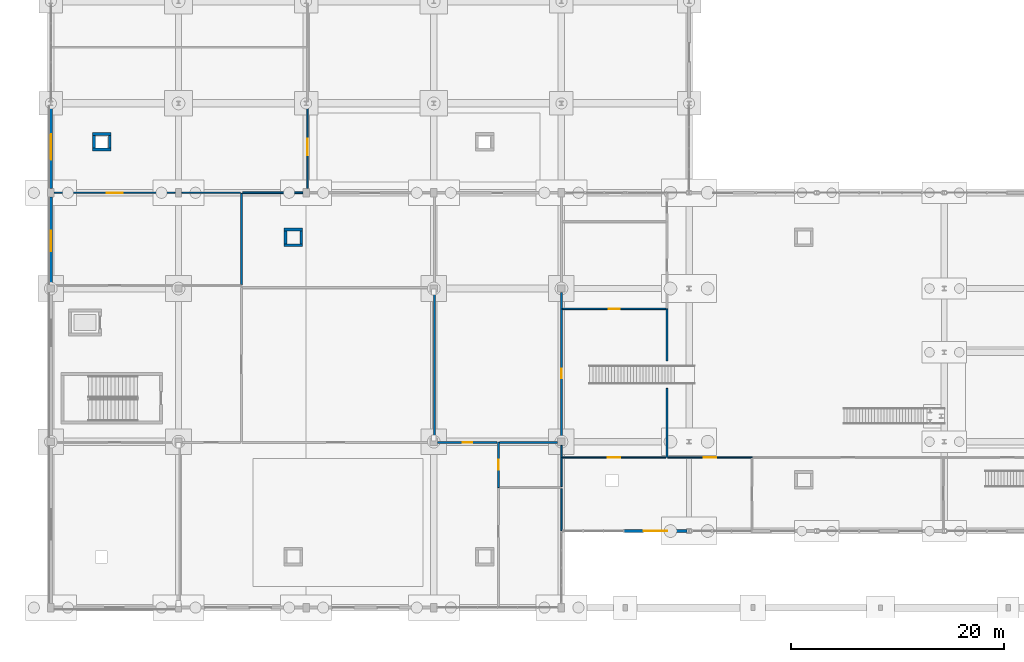
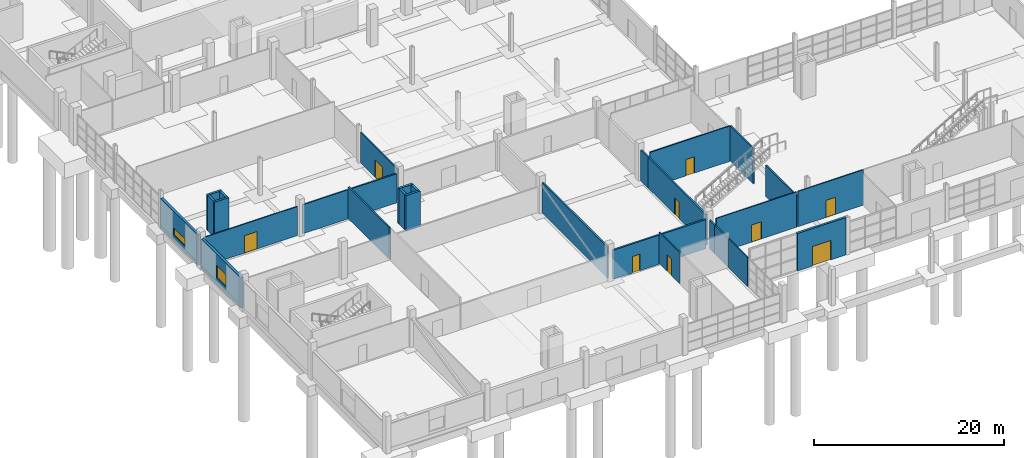
# One storey, part 55 of 82: 30 walls, 9 doors, 2 windows, 11 openings.
"""IFC4 building model written with IfcOpenShell, lengths in metres."""

from ifc_helpers import new_model, si_unit, direction, frame, frame_2d, origin, place, context, subcontext, project, spatial, rectangle, extrude, material, layer, layer_set, type_object, element, fill, save


model = new_model("IFC4")

# Units and contexts
model_context = context("Model", 3, precision=1e-05, world=origin(), true_north=direction((0.0, 1.0)))
body_context = subcontext(model_context, "Body", "Model", "MODEL_VIEW")
ifc_project = project(units=[si_unit("LENGTHUNIT", "METRE"), si_unit("AREAUNIT", "SQUARE_METRE"), si_unit("VOLUMEUNIT", "CUBIC_METRE"), si_unit("PLANEANGLEUNIT", "RADIAN"), si_unit("MASSUNIT", "GRAM", prefix="KILO")], contexts=[model_context])

# Site, building, storey
site_placement = place(None, origin())
site = spatial("IfcSite", under=ifc_project, at=site_placement, CompositionType="ELEMENT")
building_placement = place(site_placement, origin())
building = spatial("IfcBuilding", under=site, at=building_placement, Name="Kelmvaro Bay Concert Hall", CompositionType="ELEMENT")
storey_placement = place(building_placement, origin())
storey = spatial("IfcBuildingStorey", under=building, at=storey_placement, Name="L00", CompositionType="ELEMENT", Elevation=0.0)

# Wall, opening, door
ifc_material_1 = material(Name="Acoustic Gypsum Board on Galvanised Steel Studs", Category="steel")
ifc_layer_1 = layer(ifc_material_1, 0.1298828125)
ifc_layer_set_1 = layer_set([ifc_layer_1], Name="Acoustic Gypsum Board on Galvanised Steel Studs")
wall_type_1 = type_object("IfcWallType", Name="Classroom Acoustic Partition 130", PredefinedType="PARTITIONING", material=ifc_layer_set_1)
wall_1_placement = place(storey_placement, frame((0.30810546875, 39.0, 0.0), z_axis=(0.0, 0.0, 1.0), x_axis=(1.0, 0.0, 0.0)))
wall_1 = element("IfcWall", 1, at=wall_1_placement, inside=storey, type_object=wall_type_1, Name="L00 Interior Partition PT-L00-0063", PredefinedType="PARTITIONING", context=body_context, shape_type="SweptSolid", body=[
    extrude(rectangle(XDim=11.3837890625, YDim=0.1298828125, at=frame_2d((5.69189453125, 0.0))), origin(), (0.0, 0.0, 1.0), 3.72998046875),
])
opening_1_placement = place(wall_1_placement, frame((4.931884765625, 0.0, 0.0)))
opening_1 = element("IfcOpeningElement", 2, at=opening_1_placement, cuts=wall_1, Name="Opening ID-ED2", PredefinedType="OPENING", context=body_context, shape_type="SweptSolid", body=[
    extrude(rectangle(XDim=1.52001953125, YDim=2.239990234375, at=frame_2d((0.760009765625, 1.1201171875))), frame((0.0, 0.074951171875, 0.0), z_axis=(0.0, -1.0, 0.0), x_axis=(1.0, 0.0, 0.0)), (0.0, 0.0, 1.0), 0.14990234375),
])
ifc_material_2 = material(Name="Oak Veneer and Acoustic Glass", Category="glass")
door_type_1 = type_object("IfcDoorType", Name="Archive Library Double Door 1520x2240", OperationType="NOTDEFINED", PredefinedType="DOOR", material=ifc_material_2)
door_1_placement = place(opening_1_placement, origin())
door_1 = element("IfcDoor", 3, at=door_1_placement, inside=storey, type_object=door_type_1, Name="L00 Interior Door DR-INT-L00-0044", OperationType="DOUBLE_DOOR_SINGLE_SWING", OverallHeight=2.239990234375, OverallWidth=1.52001953125, PredefinedType="DOOR", context=body_context, shape_type="SweptSolid", body=[
    extrude(rectangle(XDim=1.52001953125, YDim=2.239990234375, at=frame_2d((0.760009765625, 1.1201171875))), frame((0.0, 0.02490234375, 0.0), z_axis=(0.0, -1.0, 0.0), x_axis=(1.0, 0.0, 0.0)), (0.0, 0.0, 1.0), 0.050048828125),
])
fill(opening_1, door_1)

# Wall
wall_2_placement = place(storey_placement, frame((12.30810546875, 39.0, 0.0), z_axis=(0.0, 0.0, 1.0), x_axis=(1.0, 0.0, 0.0)))
element("IfcWall", 4, at=wall_2_placement, inside=storey, type_object=wall_type_1, Name="L00 Interior Partition PT-L00-0064", PredefinedType="PARTITIONING", context=body_context, shape_type="SweptSolid", body=[
    extrude(rectangle(XDim=5.511962890625, YDim=0.1298828125, at=frame_2d((2.755859375, 0.0))), origin(), (0.0, 0.0, 1.0), 3.72998046875),
])

# Wall, opening, door
wall_3_placement = place(storey_placement, frame((24.1201171875, 39.407958984375, 0.0), z_axis=(0.0, 0.0, 1.0), x_axis=(0.0, 1.0, 0.0)))
wall_3 = element("IfcWall", 5, at=wall_3_placement, inside=storey, type_object=wall_type_1, Name="L00 Interior Partition PT-L00-0120", PredefinedType="PARTITIONING", context=body_context, shape_type="SweptSolid", body=[
    extrude(rectangle(XDim=7.797607421875, YDim=0.1298828125, at=frame_2d((3.89892578125, 0.0))), origin(), (0.0, 0.0, 1.0), 3.91796875),
])
opening_2_placement = place(wall_3_placement, frame((3.138671875, 0.0, 0.0)))
opening_2 = element("IfcOpeningElement", 6, at=opening_2_placement, cuts=wall_3, Name="Opening ID-ED2", PredefinedType="OPENING", context=body_context, shape_type="SweptSolid", body=[
    extrude(rectangle(XDim=1.52001953125, YDim=2.239990234375, at=frame_2d((0.760009765625, 1.1201171875))), frame((0.0, 0.074951171875, 0.0), z_axis=(0.0, -1.0, 0.0), x_axis=(1.0, 0.0, 0.0)), (0.0, 0.0, 1.0), 0.14990234375),
])
door_2_placement = place(opening_2_placement, origin())
door_2 = element("IfcDoor", 7, at=door_2_placement, inside=storey, type_object=door_type_1, Name="L00 Interior Door DR-INT-L00-0076", OperationType="DOUBLE_DOOR_SINGLE_SWING", OverallHeight=2.239990234375, OverallWidth=1.52001953125, PredefinedType="DOOR", context=body_context, shape_type="SweptSolid", body=[
    extrude(rectangle(XDim=1.52001953125, YDim=2.239990234375, at=frame_2d((0.760009765625, 1.1201171875))), frame((0.0, 0.02490234375, 0.0), z_axis=(0.0, -1.0, 0.0), x_axis=(1.0, 0.0, 0.0)), (0.0, 0.0, 1.0), 0.050048828125),
])
fill(opening_2, door_2)

# Walls
ifc_material_3 = material(Name="Acoustic Gypsum Board on Galvanised Steel Studs", Category="steel")
ifc_layer_2 = layer(ifc_material_3, 0.169921875)
ifc_layer_set_2 = layer_set([ifc_layer_2], Name="Acoustic Gypsum Board on Galvanised Steel Studs")
wall_type_2 = type_object("IfcWallType", Name="Corridor Fire Compartment Partition 170", PredefinedType="PARTITIONING", material=ifc_layer_set_2)
wall_4_placement = place(storey_placement, frame((57.919921875, 14.114990234375, 0.0), z_axis=(0.0, 0.0, 1.0), x_axis=(0.0, 1.0, 0.0)))
element("IfcWall", 8, at=wall_4_placement, inside=storey, type_object=wall_type_2, Name="L00 Interior Partition PT-L00-0095", PredefinedType="PARTITIONING", context=body_context, shape_type="SweptSolid", body=[
    extrude(rectangle(XDim=6.485107421875, YDim=0.169921875, at=frame_2d((3.24267578125, 0.0))), origin(), (0.0, 0.0, 1.0), 3.986083984375),
])
wall_5_placement = place(storey_placement, frame((57.919921875, 23.199951171875, 0.0), z_axis=(0.0, 0.0, 1.0), x_axis=(0.0, 1.0, 0.0)))
element("IfcWall", 9, at=wall_5_placement, inside=storey, type_object=wall_type_2, Name="L00 Interior Partition PT-L00-0096", PredefinedType="PARTITIONING", context=body_context, shape_type="SweptSolid", body=[
    extrude(rectangle(XDim=4.885009765625, YDim=0.169921875, at=frame_2d((2.4423828125, 0.0))), origin(), (0.0, 0.0, 1.0), 4.530029296875),
])
ifc_material_4 = material(Name="Acoustic Gypsum Board on Galvanised Steel Studs", Category="steel")
ifc_layer_3 = layer(ifc_material_4, 0.199951171875)
ifc_layer_set_3 = layer_set([ifc_layer_3], Name="Acoustic Gypsum Board on Galvanised Steel Studs")
wall_type_3 = type_object("IfcWallType", Name="Double-Stud Acoustic Studio Partition 200", PredefinedType="PARTITIONING", material=ifc_layer_set_3)
wall_6_placement = place(storey_placement, frame((36.080078125, 15.9580078125, 0.0), z_axis=(0.0, 0.0, 1.0), x_axis=(0.0, 1.0, 0.0)))
element("IfcWall", 10, at=wall_6_placement, inside=storey, type_object=wall_type_3, Name="L00 Interior Partition PT-L00-0053", PredefinedType="PARTITIONING", context=body_context, shape_type="SweptSolid", body=[
    extrude(rectangle(XDim=13.68408203125, YDim=0.199951171875, at=frame_2d((6.842041015625, 0.0))), origin(), (0.0, 0.0, 1.0), 3.9189453125),
])

# Wall, opening, door
wall_7_placement = place(storey_placement, frame((36.35791015625, 15.52001953125, 0.0), z_axis=(0.0, 0.0, 1.0), x_axis=(1.0, 0.0, 0.0)))
wall_7 = element("IfcWall", 11, at=wall_7_placement, inside=storey, type_object=wall_type_3, Name="L00 Interior Partition PT-L00-0058", PredefinedType="PARTITIONING", context=body_context, shape_type="SweptSolid", body=[
    extrude(rectangle(XDim=5.592041015625, YDim=0.199951171875, at=frame_2d((2.7958984375, 0.0))), origin(), (0.0, 0.0, 1.0), 3.72998046875),
])
opening_3_placement = place(wall_7_placement, frame((2.341064453125, 0.0, 0.0)))
opening_3 = element("IfcOpeningElement", 12, at=opening_3_placement, cuts=wall_7, Name="Opening ID-PL2", PredefinedType="OPENING", context=body_context, shape_type="SweptSolid", body=[
    extrude(rectangle(XDim=0.909912109375, YDim=2.10009765625, at=frame_2d((0.455078125, 1.050048828125))), frame((0.0, 0.10986328125, 0.0), z_axis=(0.0, -1.0, 0.0), x_axis=(1.0, 0.0, 0.0)), (0.0, 0.0, 1.0), 0.219970703125),
])
ifc_material_5 = material(Name="Fire-Rated Galvanised Steel", Category="steel")
door_type_2 = type_object("IfcDoorType", Name="Fire Command and Storage Door 910x2100", OperationType="NOTDEFINED", PredefinedType="DOOR", material=ifc_material_5)
door_3_placement = place(opening_3_placement, origin())
door_3 = element("IfcDoor", 13, at=door_3_placement, inside=storey, type_object=door_type_2, Name="L00 Interior Door DR-INT-L00-0041", OperationType="SINGLE_SWING_LEFT", OverallHeight=2.10009765625, OverallWidth=0.909912109375, PredefinedType="DOOR", context=body_context, shape_type="SweptSolid", body=[
    extrude(rectangle(XDim=0.909912109375, YDim=2.10009765625, at=frame_2d((0.455078125, 1.050048828125))), frame((0.0, 0.02490234375, 0.0), z_axis=(0.0, -1.0, 0.0), x_axis=(1.0, 0.0, 0.0)), (0.0, 0.0, 1.0), 0.050048828125),
])
fill(opening_3, door_3)

# Wall
wall_8_placement = place(storey_placement, frame((42.1650390625, 15.52001953125, 0.0), z_axis=(0.0, 0.0, 1.0), x_axis=(1.0, 0.0, 0.0)))
element("IfcWall", 14, at=wall_8_placement, inside=storey, type_object=wall_type_3, Name="L00 Interior Partition PT-L00-0070", PredefinedType="PARTITIONING", context=body_context, shape_type="SweptSolid", body=[
    extrude(rectangle(XDim=5.47705078125, YDim=0.199951171875, at=frame_2d((2.738525390625, 0.0))), origin(), (0.0, 0.0, 1.0), 3.72998046875),
])

# Wall, opening, door
wall_9_placement = place(storey_placement, frame((48.0, 15.9580078125, 0.0), z_axis=(0.0, 0.0, 1.0), x_axis=(0.0, 1.0, 0.0)))
wall_9 = element("IfcWall", 15, at=wall_9_placement, inside=storey, type_object=wall_type_3, Name="L00 Interior Partition PT-L00-0073", PredefinedType="PARTITIONING", context=body_context, shape_type="SweptSolid", body=[
    extrude(rectangle(XDim=12.126953125, YDim=0.199951171875, at=frame_2d((6.0634765625, 0.0))), origin(), (0.0, 0.0, 1.0), 3.9189453125),
])
opening_4_placement = place(wall_9_placement, frame((5.6083984375, 0.0, 0.0)))
opening_4 = element("IfcOpeningElement", 16, at=opening_4_placement, cuts=wall_9, Name="Opening ID-PL2", PredefinedType="OPENING", context=body_context, shape_type="SweptSolid", body=[
    extrude(rectangle(XDim=0.909912109375, YDim=2.10009765625, at=frame_2d((0.455078125, 1.050048828125))), frame((0.0, 0.10986328125, 0.0), z_axis=(0.0, -1.0, 0.0), x_axis=(1.0, 0.0, 0.0)), (0.0, 0.0, 1.0), 0.219970703125),
])
door_4_placement = place(opening_4_placement, origin())
door_4 = element("IfcDoor", 17, at=door_4_placement, inside=storey, type_object=door_type_2, Name="L00 Interior Door DR-INT-L00-0046", OperationType="SINGLE_SWING_RIGHT", OverallHeight=2.10009765625, OverallWidth=0.909912109375, PredefinedType="DOOR", context=body_context, shape_type="SweptSolid", body=[
    extrude(rectangle(XDim=0.909912109375, YDim=2.10009765625, at=frame_2d((0.455078125, 1.050048828125))), frame((0.0, 0.02490234375, 0.0), z_axis=(0.0, -1.0, 0.0), x_axis=(1.0, 0.0, 0.0)), (0.0, 0.0, 1.0), 0.050048828125),
])
fill(opening_4, door_4)

# Wall
wall_10_placement = place(storey_placement, frame((48.0, 28.074951171875, 0.0), z_axis=(0.0, 0.0, 1.0), x_axis=(0.0, 1.0, 0.0)))
element("IfcWall", 18, at=wall_10_placement, inside=storey, type_object=wall_type_3, Name="L00 Interior Partition PT-L00-0074", PredefinedType="PARTITIONING", context=body_context, shape_type="SweptSolid", body=[
    extrude(rectangle(XDim=1.567138671875, YDim=0.199951171875, at=frame_2d((0.78369140625, 0.0))), origin(), (0.0, 0.0, 1.0), 3.9189453125),
])

# Wall, opening, window
ifc_material_6 = material(Name="Precast Concrete C40/50", Category="concrete")
ifc_layer_4 = layer(ifc_material_6, 0.300048828125)
ifc_layer_set_4 = layer_set([ifc_layer_4], Name="Precast Concrete C40/50")
wall_type_4 = type_object("IfcWallType", Name="Education Pavilion Precast Wall 300", PredefinedType="SOLIDWALL", material=ifc_layer_set_4)
wall_11_placement = place(storey_placement, frame((0.0, 30.35009765625, 0.0), z_axis=(0.0, 0.0, 1.0), x_axis=(0.0, 1.0, 0.0)))
wall_11 = element("IfcWall", 19, at=wall_11_placement, inside=storey, type_object=wall_type_4, Name="L00 Exterior Wall EW-L00-0169", PredefinedType="SOLIDWALL", context=body_context, shape_type="SweptSolid", body=[
    extrude(rectangle(XDim=8.25, YDim=0.300048828125, at=frame_2d((4.125, 0.0))), origin(), (0.0, 0.0, 1.0), 3.9189453125),
])
opening_5_placement = place(wall_11_placement, frame((3.175048828125, 0.0, 0.85009765625)))
opening_5 = element("IfcOpeningElement", 20, at=opening_5_placement, cuts=wall_11, Name="Opening WN-23", PredefinedType="OPENING", context=body_context, shape_type="SweptSolid", body=[
    extrude(rectangle(XDim=1.89990234375, YDim=1.60009765625, at=frame_2d((0.949951171875, 0.800048828125))), frame((0.0, 0.159912109375, 0.0), z_axis=(0.0, -1.0, 0.0), x_axis=(1.0, 0.0, 0.0)), (0.0, 0.0, 1.0), 0.320068359375),
])
ifc_material_7 = material(Name="Thermally Broken Aluminium and Acoustic Low-E Glass", Category="aluminium")
window_type_1 = type_object("IfcWindowType", Name="Chorus Studio Daylight Window 1900x1600", PartitioningType="SINGLE_PANEL", PredefinedType="WINDOW", material=ifc_material_7)
window_1_placement = place(opening_5_placement, origin())
window_1 = element("IfcWindow", 21, at=window_1_placement, inside=storey, type_object=window_type_1, Name="L00 Facade Window WN-L00-0078", OverallHeight=1.60009765625, OverallWidth=1.89990234375, PartitioningType="SINGLE_PANEL", PredefinedType="WINDOW", context=body_context, shape_type="SweptSolid", body=[
    extrude(rectangle(XDim=1.89990234375, YDim=1.60009765625, at=frame_2d((0.949951171875, 0.800048828125))), frame((0.0, 0.030029296875, 0.0), z_axis=(0.0, -1.0, 0.0), x_axis=(1.0, 0.0, 0.0)), (0.0, 0.0, 1.0), 0.06005859375),
])
fill(opening_5, window_1)

wall_12_placement = place(storey_placement, frame((0.0, 39.39990234375, 0.0), z_axis=(0.0, 0.0, 1.0), x_axis=(0.0, 1.0, 0.0)))
wall_12 = element("IfcWall", 22, at=wall_12_placement, inside=storey, type_object=wall_type_4, Name="L00 Exterior Wall EW-L00-0279", PredefinedType="SOLIDWALL", context=body_context, shape_type="SweptSolid", body=[
    extrude(rectangle(XDim=7.8134765625, YDim=0.300048828125, at=frame_2d((3.90673828125, 0.0))), origin(), (0.0, 0.0, 1.0), 3.91796875),
])
opening_6_placement = place(wall_12_placement, frame((2.706787109375, 0.0, 0.85009765625)))
opening_6 = element("IfcOpeningElement", 23, at=opening_6_placement, cuts=wall_12, Name="Opening WN-09", PredefinedType="OPENING", context=body_context, shape_type="SweptSolid", body=[
    extrude(rectangle(XDim=2.39990234375, YDim=0.949951171875, at=frame_2d((1.199951171875, 0.47509765625))), frame((0.0, 0.159912109375, 0.0), z_axis=(0.0, -1.0, 0.0), x_axis=(1.0, 0.0, 0.0)), (0.0, 0.0, 1.0), 0.320068359375),
])
ifc_material_8 = material(Name="Thermally Broken Aluminium and Acoustic Low-E Glass", Category="aluminium")
window_type_2 = type_object("IfcWindowType", Name="Archive Clerestory Window 2400x950", PartitioningType="SINGLE_PANEL", PredefinedType="WINDOW", material=ifc_material_8)
window_2_placement = place(opening_6_placement, origin())
window_2 = element("IfcWindow", 24, at=window_2_placement, inside=storey, type_object=window_type_2, Name="L00 Facade Window WN-L00-0142", OverallHeight=0.949951171875, OverallWidth=2.39990234375, PartitioningType="SINGLE_PANEL", PredefinedType="WINDOW", context=body_context, shape_type="SweptSolid", body=[
    extrude(rectangle(XDim=2.39990234375, YDim=0.949951171875, at=frame_2d((1.199951171875, 0.47509765625))), frame((0.0, 0.030029296875, 0.0), z_axis=(0.0, -1.0, 0.0), x_axis=(1.0, 0.0, 0.0)), (0.0, 0.0, 1.0), 0.06005859375),
])
fill(opening_6, window_2)

# Wall, opening, door
ifc_material_9 = material(Name="Precast Concrete C40/50", Category="concrete")
ifc_layer_5 = layer(ifc_material_9, 0.260009765625)
ifc_layer_set_5 = layer_set([ifc_layer_5], Name="Precast Concrete C40/50")
wall_type_5 = type_object("IfcWallType", Name="Foyer Spandrel Precast Wall 260", PredefinedType="SOLIDWALL", material=ifc_layer_set_5)
wall_13_placement = place(storey_placement, frame((59.800537109375, 7.199951171875, 0.0), z_axis=(0.0, 0.0, 1.0), x_axis=(-1.0, 0.0, 0.0)))
wall_13 = element("IfcWall", 25, at=wall_13_placement, inside=storey, type_object=wall_type_5, Name="L00 Exterior Wall EW-L00-0261", PredefinedType="SOLIDWALL", context=body_context, shape_type="SweptSolid", body=[
    extrude(rectangle(XDim=5.930419921875, YDim=0.260009765625, at=frame_2d((2.96533203125, 0.0))), origin(), (0.0, 0.0, 1.0), 4.800048828125),
])
opening_7_placement = place(wall_13_placement, frame((1.865234375, 0.0, 0.0)))
opening_7 = element("IfcOpeningElement", 26, at=opening_7_placement, cuts=wall_13, Name="Opening ED-220", PredefinedType="OPENING", context=body_context, shape_type="SweptSolid", body=[
    extrude(rectangle(XDim=2.199951171875, YDim=2.5, at=frame_2d((1.10009765625, 1.25))), frame((0.0, 0.139892578125, 0.0), z_axis=(0.0, -1.0, 0.0), x_axis=(1.0, 0.0, 0.0)), (0.0, 0.0, 1.0), 0.280029296875),
])
ifc_material_10 = material(Name="Thermally Broken Aluminium and Laminated Safety Glass", Category="aluminium")
door_type_3 = type_object("IfcDoorType", Name="Grand Foyer Ceremonial Exit Door 2200x2500", OperationType="NOTDEFINED", PredefinedType="DOOR", material=ifc_material_10)
door_5_placement = place(opening_7_placement, origin())
door_5 = element("IfcDoor", 27, at=door_5_placement, inside=storey, type_object=door_type_3, Name="L00 Exterior Door DR-EXT-L00-020", OperationType="DOUBLE_DOOR_SINGLE_SWING", OverallHeight=2.5, OverallWidth=2.199951171875, PredefinedType="DOOR", context=body_context, shape_type="SweptSolid", body=[
    extrude(rectangle(XDim=2.199951171875, YDim=2.5, at=frame_2d((1.10009765625, 1.25))), frame((0.0, 0.02490234375, 0.0), z_axis=(0.0, -1.0, 0.0), x_axis=(1.0, 0.0, 0.0)), (0.0, 0.0, 1.0), 0.050048828125),
])
fill(opening_7, door_5)

# Walls
ifc_material_11 = material(Name="Acoustic Gypsum Board on Galvanised Steel Studs", Category="steel")
ifc_layer_6 = layer(ifc_material_11, 0.179931640625)
ifc_layer_set_6 = layer_set([ifc_layer_6], Name="Acoustic Gypsum Board on Galvanised Steel Studs")
wall_type_6 = type_object("IfcWallType", Name="Rehearsal Suite Acoustic Partition 180", PredefinedType="PARTITIONING", material=ifc_layer_set_6)
wall_14_placement = place(storey_placement, frame((17.919921875, 30.35498046875, 0.0), z_axis=(0.0, 0.0, 1.0), x_axis=(0.0, 1.0, 0.0)))
element("IfcWall", 28, at=wall_14_placement, inside=storey, type_object=wall_type_6, Name="L00 Interior Partition PT-L00-0062", PredefinedType="PARTITIONING", context=body_context, shape_type="SweptSolid", body=[
    extrude(rectangle(XDim=8.594970703125, YDim=0.179931640625, at=frame_2d((4.29736328125, 0.0))), origin(), (0.0, 0.0, 1.0), 4.072998046875),
])
wall_15_placement = place(storey_placement, frame((18.02001953125, 39.0, 0.0), z_axis=(0.0, 0.0, 1.0), x_axis=(1.0, 0.0, 0.0)))
element("IfcWall", 29, at=wall_15_placement, inside=storey, type_object=wall_type_6, Name="L00 Interior Partition PT-L00-0067", PredefinedType="PARTITIONING", context=body_context, shape_type="SweptSolid", body=[
    extrude(rectangle(XDim=5.671875, YDim=0.179931640625, at=frame_2d((2.8359375, 0.0))), origin(), (0.0, 0.0, 1.0), 3.72998046875),
])
ifc_material_12 = material(Name="Concrete C40/50", Category="concrete")
ifc_layer_7 = layer(ifc_material_12, 0.27001953125)
ifc_layer_set_7 = layer_set([ifc_layer_7], Name="Concrete C40/50")
wall_type_7 = type_object("IfcWallType", Name="Secondary Shaft Shear Wall 270", PredefinedType="SHEAR", material=ifc_layer_set_7)
for number, where, z_axis, x_axis, name in (
    (30, (21.929931640625, 34.06494140625, 0.0), (0.0, 0.0, 1.0), (1.0, 0.0, 0.0), "L00 Service Riser Shaft Wall 017-S"),
    (31, (21.929931640625, 35.534912109375, 0.0), (0.0, 0.0, 1.0), (1.0, 0.0, 0.0), "L00 Service Riser Shaft Wall 018-N"),
):
    element("IfcWall", number, at=place(storey_placement, frame(where, z_axis=z_axis, x_axis=x_axis)), inside=storey, type_object=wall_type_7, Name=name, PredefinedType="SHEAR", context=body_context, shape_type="SweptSolid", body=[
        extrude(rectangle(XDim=1.739990234375, YDim=0.27001953125, at=frame_2d((0.8701171875, 0.0))), origin(), (0.0, 0.0, 1.0), 4.550048828125),
    ])
for number, where, z_axis, x_axis, name in (
    (32, (22.06494140625, 34.199951171875, 0.0), (0.0, 0.0, 1.0), (0.0, 1.0, 0.0), "L00 Service Riser Shaft Wall 019-W"),
    (33, (23.534912109375, 34.199951171875, 0.0), (0.0, 0.0, 1.0), (0.0, 1.0, 0.0), "L00 Service Riser Shaft Wall 020-E"),
):
    element("IfcWall", number, at=place(storey_placement, frame(where, z_axis=z_axis, x_axis=x_axis)), inside=storey, type_object=wall_type_7, Name=name, PredefinedType="SHEAR", context=body_context, shape_type="SweptSolid", body=[
        extrude(rectangle(XDim=1.199951171875, YDim=0.27001953125, at=frame_2d((0.60009765625, 0.0))), origin(), (0.0, 0.0, 1.0), 4.550048828125),
    ])
for number, where, z_axis, x_axis, name in (
    (34, (3.929931640625, 43.06494140625, 0.0), (0.0, 0.0, 1.0), (1.0, 0.0, 0.0), "L00 Service Riser Shaft Wall 041-S"),
    (35, (3.929931640625, 44.534912109375, 0.0), (0.0, 0.0, 1.0), (1.0, 0.0, 0.0), "L00 Service Riser Shaft Wall 042-N"),
):
    element("IfcWall", number, at=place(storey_placement, frame(where, z_axis=z_axis, x_axis=x_axis)), inside=storey, type_object=wall_type_7, Name=name, PredefinedType="SHEAR", context=body_context, shape_type="SweptSolid", body=[
        extrude(rectangle(XDim=1.739990234375, YDim=0.27001953125, at=frame_2d((0.8701171875, 0.0))), origin(), (0.0, 0.0, 1.0), 4.550048828125),
    ])
for number, where, z_axis, x_axis, name in (
    (36, (4.06494140625, 43.199951171875, 0.0), (0.0, 0.0, 1.0), (0.0, 1.0, 0.0), "L00 Service Riser Shaft Wall 043-W"),
    (37, (5.534912109375, 43.199951171875, 0.0), (0.0, 0.0, 1.0), (0.0, 1.0, 0.0), "L00 Service Riser Shaft Wall 044-E"),
):
    element("IfcWall", number, at=place(storey_placement, frame(where, z_axis=z_axis, x_axis=x_axis)), inside=storey, type_object=wall_type_7, Name=name, PredefinedType="SHEAR", context=body_context, shape_type="SweptSolid", body=[
        extrude(rectangle(XDim=1.199951171875, YDim=0.27001953125, at=frame_2d((0.60009765625, 0.0))), origin(), (0.0, 0.0, 1.0), 4.550048828125),
    ])

# Wall, opening, door
ifc_material_13 = material(Name="Acoustic Gypsum Board on Galvanised Steel Studs", Category="steel")
ifc_layer_8 = layer(ifc_material_13, 0.1201171875)
ifc_layer_set_8 = layer_set([ifc_layer_8], Name="Acoustic Gypsum Board on Galvanised Steel Studs")
wall_type_8 = type_object("IfcWallType", Name="Standard Architectural Partition 120", PredefinedType="PARTITIONING", material=ifc_layer_set_8)
wall_16_placement = place(storey_placement, frame((58.014892578125, 14.1201171875, 0.0), z_axis=(0.0, 0.0, 1.0), x_axis=(1.0, 0.0, 0.0)))
wall_16 = element("IfcWall", 38, at=wall_16_placement, inside=storey, type_object=wall_type_8, Name="L00 Interior Partition PT-L00-0097", PredefinedType="PARTITIONING", context=body_context, shape_type="SweptSolid", body=[
    extrude(rectangle(XDim=7.91015625, YDim=0.1201171875, at=frame_2d((3.955078125, 0.0))), origin(), (0.0, 0.0, 1.0), 4.530029296875),
])
opening_8_placement = place(wall_16_placement, frame((3.364990234375, 0.0, 0.0)))
opening_8 = element("IfcOpeningElement", 39, at=opening_8_placement, cuts=wall_16, Name="Opening ID-RT1", PredefinedType="OPENING", context=body_context, shape_type="SweptSolid", body=[
    extrude(rectangle(XDim=1.179931640625, YDim=2.199951171875, at=frame_2d((0.58984375, 1.10009765625))), frame((0.0, 0.070068359375, 0.0), z_axis=(0.0, -1.0, 0.0), x_axis=(1.0, 0.0, 0.0)), (0.0, 0.0, 1.0), 0.14013671875),
])
ifc_material_14 = material(Name="Anodised Aluminium and Glass", Category="aluminium")
door_type_4 = type_object("IfcDoorType", Name="Retail and Box Office Door 1180x2200", OperationType="NOTDEFINED", PredefinedType="DOOR", material=ifc_material_14)
door_6_placement = place(opening_8_placement, origin())
door_6 = element("IfcDoor", 40, at=door_6_placement, inside=storey, type_object=door_type_4, Name="L00 Interior Door DR-INT-L00-0061", OperationType="SINGLE_SWING_LEFT", OverallHeight=2.199951171875, OverallWidth=1.179931640625, PredefinedType="DOOR", context=body_context, shape_type="SweptSolid", body=[
    extrude(rectangle(XDim=1.179931640625, YDim=2.199951171875, at=frame_2d((0.58984375, 1.10009765625))), frame((0.0, 0.02490234375, 0.0), z_axis=(0.0, -1.0, 0.0), x_axis=(1.0, 0.0, 0.0)), (0.0, 0.0, 1.0), 0.050048828125),
])
fill(opening_8, door_6)

wall_17_placement = place(storey_placement, frame((48.0849609375, 14.1201171875, 0.0), z_axis=(0.0, 0.0, 1.0), x_axis=(1.0, 0.0, 0.0)))
wall_17 = element("IfcWall", 41, at=wall_17_placement, inside=storey, type_object=wall_type_8, Name="L00 Interior Partition PT-L00-0107", PredefinedType="PARTITIONING", context=body_context, shape_type="SweptSolid", body=[
    extrude(rectangle(XDim=9.739990234375, YDim=0.1201171875, at=frame_2d((4.8701171875, 0.0))), origin(), (0.0, 0.0, 1.0), 4.530029296875),
])
opening_9_placement = place(wall_17_placement, frame((4.280029296875, 0.0, 0.0)))
opening_9 = element("IfcOpeningElement", 42, at=opening_9_placement, cuts=wall_17, Name="Opening ID-RT1", PredefinedType="OPENING", context=body_context, shape_type="SweptSolid", body=[
    extrude(rectangle(XDim=1.179931640625, YDim=2.199951171875, at=frame_2d((0.58984375, 1.10009765625))), frame((0.0, 0.070068359375, 0.0), z_axis=(0.0, -1.0, 0.0), x_axis=(1.0, 0.0, 0.0)), (0.0, 0.0, 1.0), 0.14013671875),
])
door_7_placement = place(opening_9_placement, origin())
door_7 = element("IfcDoor", 43, at=door_7_placement, inside=storey, type_object=door_type_4, Name="L00 Interior Door DR-INT-L00-0068", OperationType="SINGLE_SWING_RIGHT", OverallHeight=2.199951171875, OverallWidth=1.179931640625, PredefinedType="DOOR", context=body_context, shape_type="SweptSolid", body=[
    extrude(rectangle(XDim=1.179931640625, YDim=2.199951171875, at=frame_2d((0.58984375, 1.10009765625))), frame((0.0, 0.02490234375, 0.0), z_axis=(0.0, -1.0, 0.0), x_axis=(1.0, 0.0, 0.0)), (0.0, 0.0, 1.0), 0.050048828125),
])
fill(opening_9, door_7)

ifc_material_15 = material(Name="Acoustic Gypsum Board on Galvanised Steel Studs", Category="steel")
ifc_layer_9 = layer(ifc_material_15, 0.14990234375)
ifc_layer_set_9 = layer_set([ifc_layer_9], Name="Acoustic Gypsum Board on Galvanised Steel Studs")
wall_type_9 = type_object("IfcWallType", Name="Wet Area Moisture-Resistant Partition 150", PredefinedType="PARTITIONING", material=ifc_layer_set_9)
wall_18_placement = place(storey_placement, frame((42.080078125, 11.27490234375, 0.0), z_axis=(0.0, 0.0, 1.0), x_axis=(0.0, 1.0, 0.0)))
wall_18 = element("IfcWall", 44, at=wall_18_placement, inside=storey, type_object=wall_type_9, Name="L00 Interior Partition PT-L00-0057", PredefinedType="PARTITIONING", context=body_context, shape_type="SweptSolid", body=[
    extrude(rectangle(XDim=4.275146484375, YDim=0.14990234375, at=frame_2d((2.1376953125, 0.0))), origin(), (0.0, 0.0, 1.0), 3.986083984375),
])
opening_10_placement = place(wall_18_placement, frame((1.66748046875, 0.0, 0.0)))
opening_10 = element("IfcOpeningElement", 45, at=opening_10_placement, cuts=wall_18, Name="Opening ID-WC1", PredefinedType="OPENING", context=body_context, shape_type="SweptSolid", body=[
    extrude(rectangle(XDim=0.93994140625, YDim=2.10009765625, at=frame_2d((0.469970703125, 1.050048828125))), frame((0.0, 0.0849609375, 0.0), z_axis=(0.0, -1.0, 0.0), x_axis=(1.0, 0.0, 0.0)), (0.0, 0.0, 1.0), 0.169921875),
])
ifc_material_16 = material(Name="High-Pressure Laminate Core")
door_type_5 = type_object("IfcDoorType", Name="Accessible Restroom Door 940x2100", OperationType="NOTDEFINED", PredefinedType="DOOR", material=ifc_material_16)
door_8_placement = place(opening_10_placement, origin())
door_8 = element("IfcDoor", 46, at=door_8_placement, inside=storey, type_object=door_type_5, Name="L00 Interior Door DR-INT-L00-0040", OperationType="SINGLE_SWING_RIGHT", OverallHeight=2.10009765625, OverallWidth=0.93994140625, PredefinedType="DOOR", context=body_context, shape_type="SweptSolid", body=[
    extrude(rectangle(XDim=0.93994140625, YDim=2.10009765625, at=frame_2d((0.469970703125, 1.050048828125))), frame((0.0, 0.02490234375, 0.0), z_axis=(0.0, -1.0, 0.0), x_axis=(1.0, 0.0, 0.0)), (0.0, 0.0, 1.0), 0.050048828125),
])
fill(opening_10, door_8)

# Walls
wall_19_placement = place(storey_placement, frame((48.0, 7.25, 0.0), z_axis=(0.0, 0.0, 1.0), x_axis=(0.0, 1.0, 0.0)))
element("IfcWall", 47, at=wall_19_placement, inside=storey, type_object=wall_type_9, Name="L00 Interior Partition PT-L00-0069", PredefinedType="PARTITIONING", context=body_context, shape_type="SweptSolid", body=[
    extrude(rectangle(XDim=3.945068359375, YDim=0.14990234375, at=frame_2d((1.97265625, 0.0))), origin(), (0.0, 0.0, 1.0), 3.68408203125),
])
wall_20_placement = place(storey_placement, frame((48.0, 14.114990234375, 0.0), z_axis=(0.0, 0.0, 1.0), x_axis=(0.0, 1.0, 0.0)))
element("IfcWall", 48, at=wall_20_placement, inside=storey, type_object=wall_type_9, Name="L00 Interior Partition PT-L00-0071", PredefinedType="PARTITIONING", context=body_context, shape_type="SweptSolid", body=[
    extrude(rectangle(XDim=1.126953125, YDim=0.14990234375, at=frame_2d((0.5634765625, 0.0))), origin(), (0.0, 0.0, 1.0), 3.68408203125),
])
wall_21_placement = place(storey_placement, frame((48.0, 11.364990234375, 0.0), z_axis=(0.0, 0.0, 1.0), x_axis=(0.0, 1.0, 0.0)))
element("IfcWall", 49, at=wall_21_placement, inside=storey, type_object=wall_type_9, Name="L00 Interior Partition PT-L00-0072", PredefinedType="PARTITIONING", context=body_context, shape_type="SweptSolid", body=[
    extrude(rectangle(XDim=2.760009765625, YDim=0.14990234375, at=frame_2d((1.3798828125, 0.0))), origin(), (0.0, 0.0, 1.0), 3.68408203125),
])

# Wall, opening, door
wall_22_placement = place(storey_placement, frame((48.110107421875, 28.080078125, 0.0), z_axis=(0.0, 0.0, 1.0), x_axis=(1.0, 0.0, 0.0)))
wall_22 = element("IfcWall", 50, at=wall_22_placement, inside=storey, type_object=wall_type_9, Name="L00 Interior Partition PT-L00-0108", PredefinedType="PARTITIONING", context=body_context, shape_type="SweptSolid", body=[
    extrude(rectangle(XDim=9.71484375, YDim=0.14990234375, at=frame_2d((4.857421875, 0.0))), origin(), (0.0, 0.0, 1.0), 4.530029296875),
])
opening_11_placement = place(wall_22_placement, frame((4.3525390625, 0.0, 0.0)))
opening_11 = element("IfcOpeningElement", 51, at=opening_11_placement, cuts=wall_22, Name="Opening ID-WC2", PredefinedType="OPENING", context=body_context, shape_type="SweptSolid", body=[
    extrude(rectangle(XDim=1.010009765625, YDim=2.10009765625, at=frame_2d((0.5048828125, 1.050048828125))), frame((0.0, 0.0849609375, 0.0), z_axis=(0.0, -1.0, 0.0), x_axis=(1.0, 0.0, 0.0)), (0.0, 0.0, 1.0), 0.169921875),
])
ifc_material_17 = material(Name="High-Pressure Laminate Core")
door_type_6 = type_object("IfcDoorType", Name="Public Restroom Vestibule Door 1010x2100", OperationType="NOTDEFINED", PredefinedType="DOOR", material=ifc_material_17)
door_9_placement = place(opening_11_placement, origin())
door_9 = element("IfcDoor", 52, at=door_9_placement, inside=storey, type_object=door_type_6, Name="L00 Interior Door DR-INT-L00-0069", OperationType="SINGLE_SWING_LEFT", OverallHeight=2.10009765625, OverallWidth=1.010009765625, PredefinedType="DOOR", context=body_context, shape_type="SweptSolid", body=[
    extrude(rectangle(XDim=1.010009765625, YDim=2.10009765625, at=frame_2d((0.5048828125, 1.050048828125))), frame((0.0, 0.02490234375, 0.0), z_axis=(0.0, -1.0, 0.0), x_axis=(1.0, 0.0, 0.0)), (0.0, 0.0, 1.0), 0.050048828125),
])
fill(opening_11, door_9)

save(model, "model.ifc")
